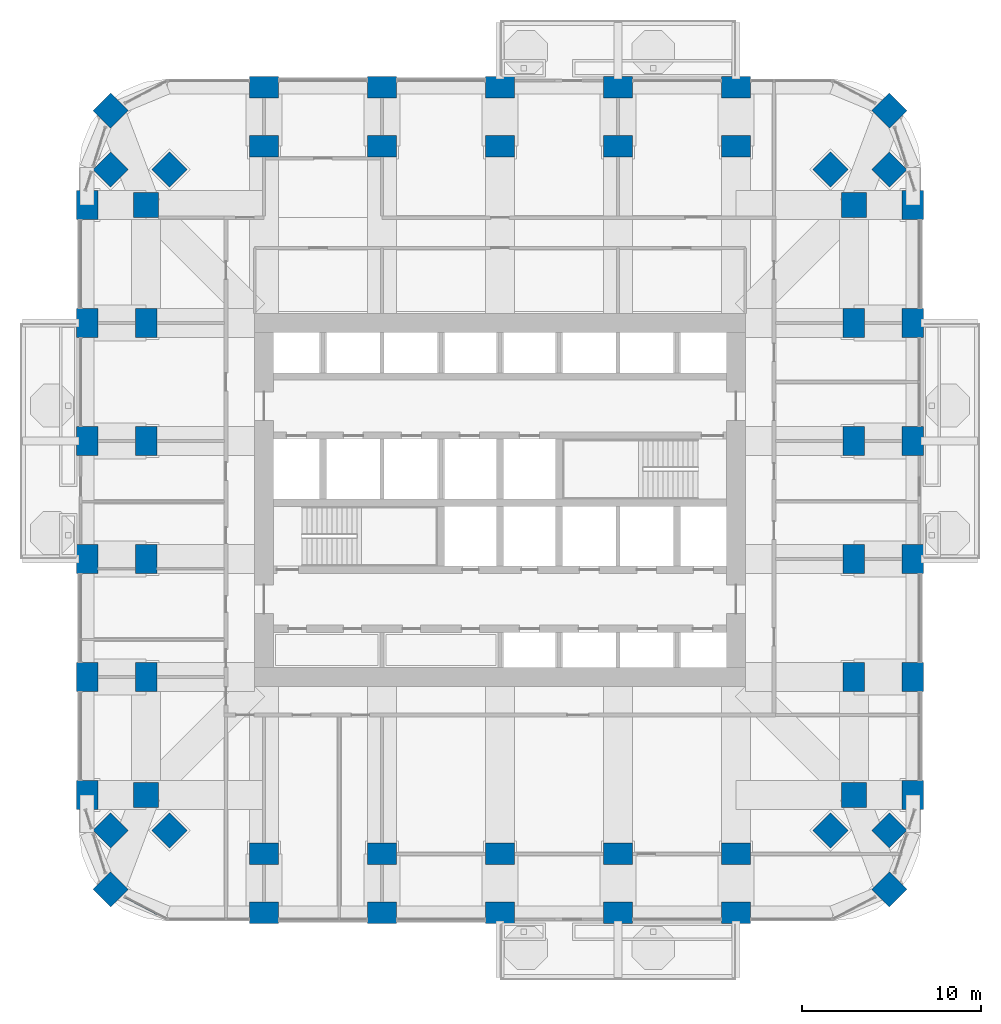
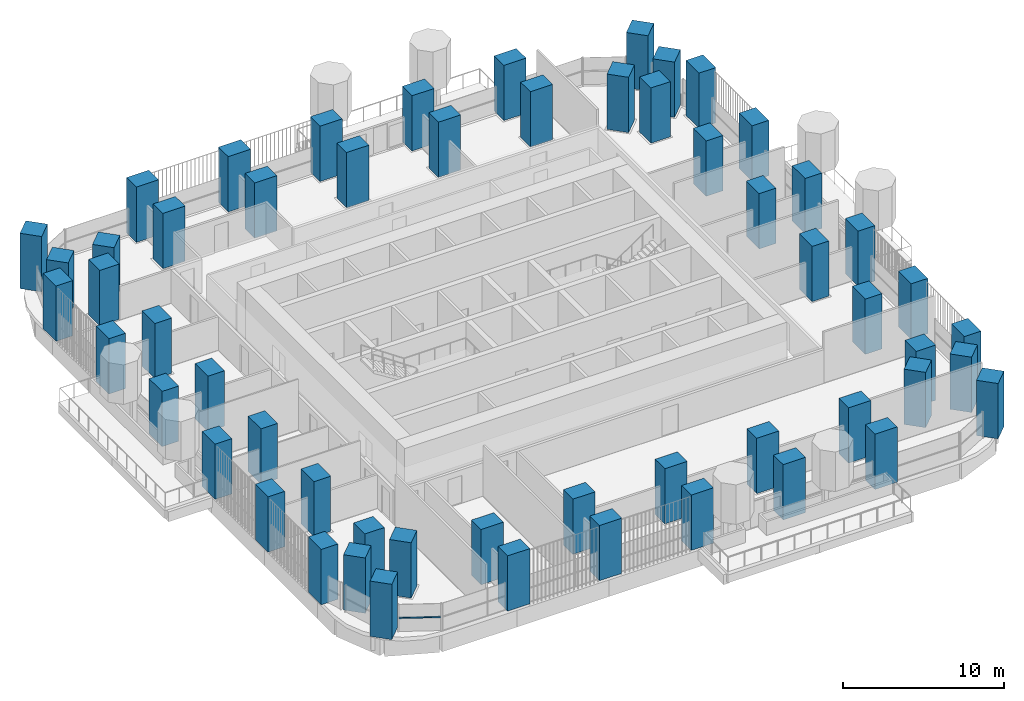
# One storey, part 1 of 22: 56 columns, 1 member, 1 element without a shape of its own.
"""IFC4 building model written with IfcOpenShell, lengths in metres."""

from ifc_helpers import new_model, si_unit, direction, frame, origin, origin_2d, place, context, subcontext, project, spatial, rectangle, extrude, material, material_profile, profile_set, type_object, element, aggregate, save


model = new_model("IFC4")

# Units and contexts
model_context = context("Model", 3, precision=1e-05, world=origin(), true_north=direction((0.0, 1.0)))
body_context = subcontext(model_context, "Body", "Model", "MODEL_VIEW")
ifc_project = project(units=[si_unit("LENGTHUNIT", "METRE"), si_unit("AREAUNIT", "SQUARE_METRE"), si_unit("VOLUMEUNIT", "CUBIC_METRE"), si_unit("PLANEANGLEUNIT", "RADIAN"), si_unit("MASSUNIT", "GRAM", prefix="KILO")], contexts=[model_context])

# Site, building, storey
site_placement = place(None, origin())
site = spatial("IfcSite", under=ifc_project, at=site_placement, CompositionType="ELEMENT")
building_placement = place(site_placement, origin())
building = spatial("IfcBuilding", under=site, at=building_placement, Name="Cobogo Forest Laboratory Tower", CompositionType="ELEMENT")
storey_placement = place(building_placement, frame((0.0, 0.0, 145.199951171875)))
storey = spatial("IfcBuildingStorey", under=building, at=storey_placement, Name="L33", CompositionType="ELEMENT", Elevation=145.199951171875)

# Columns
ifc_material_1 = material(Name="Concrete HA-50 (C50/60)", Category="concrete")
ifc_material_profile_1 = material_profile(ifc_material_1, rectangle(XDim=1.60009765625, YDim=1.199951171875, at=origin_2d()), Name="RC 1200x1600")
ifc_profile_set_1 = profile_set([ifc_material_profile_1], Name="Concrete HA-50 (C50/60)")
column_type_1 = type_object("IfcColumnType", Name="Blade column 1200x1600", PredefinedType="COLUMN", material=ifc_profile_set_1)
for number, where, z_axis, x_axis, name in (
    (1, (13.199951171875, 0.0, 0.0), (0.0, 0.0, 1.0), (1.0, 0.0, 0.0), "Column 3-A L33"),
    (2, (19.800048828125, 0.0, 0.0), (0.0, 0.0, 1.0), (1.0, 0.0, 0.0), "Column 4-A L33"),
    (3, (26.39990234375, 0.0, 0.0), (0.0, 0.0, 1.0), (1.0, 0.0, 0.0), "Column 5-A L33"),
    (4, (33.0, 0.0, 0.0), (0.0, 0.0, 1.0), (1.0, 0.0, 0.0), "Column 6-A L33"),
    (5, (39.60009765625, 0.0, 0.0), (0.0, 0.0, 1.0), (1.0, 0.0, 0.0), "Column 7-A L33"),
    (6, (3.300048828125, 6.60009765625, 0.0), (0.0, 0.0, 1.0), (0.0, 1.0, 0.0), "Column 1.1-B L33"),
    (7, (49.5, 6.60009765625, 0.0), (0.0, 0.0, 1.0), (0.0, 1.0, 0.0), "Column 8.1-B L33"),
    (8, (3.300048828125, 13.199951171875, 0.0), (0.0, 0.0, 1.0), (0.0, 1.0, 0.0), "Column 1.1-C L33"),
    (9, (49.5, 13.199951171875, 0.0), (0.0, 0.0, 1.0), (0.0, 1.0, 0.0), "Column 8.1-C L33"),
    (10, (3.300048828125, 19.800048828125, 0.0), (0.0, 0.0, 1.0), (0.0, 1.0, 0.0), "Column 1.1-D L33"),
    (11, (49.5, 19.800048828125, 0.0), (0.0, 0.0, 1.0), (0.0, 1.0, 0.0), "Column 8.1-D L33"),
    (12, (3.300048828125, 26.39990234375, 0.0), (0.0, 0.0, 1.0), (0.0, 1.0, 0.0), "Column 1.1-E L33"),
    (13, (49.5, 26.39990234375, 0.0), (0.0, 0.0, 1.0), (0.0, 1.0, 0.0), "Column 8.1-E L33"),
    (14, (3.300048828125, 33.0, 0.0), (0.0, 0.0, 1.0), (0.0, 1.0, 0.0), "Column 1.1-F L33"),
    (15, (49.5, 33.0, 0.0), (0.0, 0.0, 1.0), (0.0, 1.0, 0.0), "Column 8.1-F L33"),
    (16, (3.300048828125, 39.60009765625, 0.0), (0.0, 0.0, 1.0), (0.0, 1.0, 0.0), "Column 1.1-G L33"),
    (17, (49.5, 39.60009765625, 0.0), (0.0, 0.0, 1.0), (0.0, 1.0, 0.0), "Column 8.1-G L33"),
    (18, (13.199951171875, 46.199951171875, 0.0), (0.0, 0.0, 1.0), (1.0, 0.0, 0.0), "Column 3-H L33"),
    (19, (19.800048828125, 46.199951171875, 0.0), (0.0, 0.0, 1.0), (1.0, 0.0, 0.0), "Column 4-H L33"),
    (20, (26.39990234375, 46.199951171875, 0.0), (0.0, 0.0, 1.0), (1.0, 0.0, 0.0), "Column 5-H L33"),
    (21, (33.0, 46.199951171875, 0.0), (0.0, 0.0, 1.0), (1.0, 0.0, 0.0), "Column 6-H L33"),
    (22, (39.60009765625, 46.199951171875, 0.0), (0.0, 0.0, 1.0), (1.0, 0.0, 0.0), "Column 7-H L33"),
    (23, (13.199951171875, 3.300048828125, 0.0), (0.0, 0.0, 1.0), (1.0, 0.0, 0.0), "Column 3-A.1-C L33"),
    (24, (19.800048828125, 3.300048828125, 0.0), (0.0, 0.0, 1.0), (1.0, 0.0, 0.0), "Column 4-A.1-C L33"),
    (25, (26.39990234375, 3.300048828125, 0.0), (0.0, 0.0, 1.0), (1.0, 0.0, 0.0), "Column 5-A.1-C L33"),
    (26, (33.0, 3.300048828125, 0.0), (0.0, 0.0, 1.0), (1.0, 0.0, 0.0), "Column 6-A.1-C L33"),
    (27, (39.60009765625, 3.300048828125, 0.0), (0.0, 0.0, 1.0), (1.0, 0.0, 0.0), "Column 7-A.1-C L33"),
    (28, (13.199951171875, 42.89990234375, 0.0), (0.0, 0.0, 1.0), (1.0, 0.0, 0.0), "Column 3-G.1-C L33"),
    (29, (19.800048828125, 42.89990234375, 0.0), (0.0, 0.0, 1.0), (1.0, 0.0, 0.0), "Column 4-G.1-C L33"),
    (30, (26.39990234375, 42.89990234375, 0.0), (0.0, 0.0, 1.0), (1.0, 0.0, 0.0), "Column 5-G.1-C L33"),
    (31, (33.0, 42.89990234375, 0.0), (0.0, 0.0, 1.0), (1.0, 0.0, 0.0), "Column 6-G.1-C L33"),
    (32, (39.60009765625, 42.89990234375, 0.0), (0.0, 0.0, 1.0), (1.0, 0.0, 0.0), "Column 7-G.1-C L33"),
    (33, (6.60009765625, 13.199951171875, 0.0), (0.0, 0.0, 1.0), (0.0, 1.0, 0.0), "Column 2-C-D L33"),
    (34, (46.199951171875, 13.199951171875, 0.0), (0.0, 0.0, 1.0), (0.0, 1.0, 0.0), "Column 8-C-D L33"),
    (35, (6.60009765625, 19.800048828125, 0.0), (0.0, 0.0, 1.0), (0.0, 1.0, 0.0), "Column 2-D-D L33"),
    (36, (46.199951171875, 19.800048828125, 0.0), (0.0, 0.0, 1.0), (0.0, 1.0, 0.0), "Column 8-D-D L33"),
    (37, (6.60009765625, 26.39990234375, 0.0), (0.0, 0.0, 1.0), (0.0, 1.0, 0.0), "Column 2-E-D L33"),
    (38, (46.199951171875, 26.39990234375, 0.0), (0.0, 0.0, 1.0), (0.0, 1.0, 0.0), "Column 8-E-D L33"),
    (39, (6.60009765625, 33.0, 0.0), (0.0, 0.0, 1.0), (0.0, 1.0, 0.0), "Column 2-F-D L33"),
    (40, (46.199951171875, 33.0, 0.0), (0.0, 0.0, 1.0), (0.0, 1.0, 0.0), "Column 8-F-D L33"),
):
    element("IfcColumn", number, at=place(storey_placement, frame(where, z_axis=z_axis, x_axis=x_axis)), inside=storey, type_object=column_type_1, Name=name, PredefinedType="COLUMN", context=body_context, shape_type="SweptSolid", body=[
        extrude(rectangle(XDim=1.60009765625, YDim=1.199951171875, at=origin_2d()), origin(), (0.0, 0.0, 1.0), 4.199951171875),
    ])
ifc_material_profile_2 = material_profile(ifc_material_1, rectangle(XDim=1.39990234375, YDim=1.39990234375, at=origin_2d()), Name="RC 1400x1400")
ifc_profile_set_2 = profile_set([ifc_material_profile_2], Name="Concrete HA-50 (C50/60)")
column_type_2 = type_object("IfcColumnType", Name="Column 1400x1400", PredefinedType="COLUMN", material=ifc_profile_set_2)
for number, where, z_axis, x_axis, name in (
    (41, (4.617919921875, 1.318115234375, 0.0), (0.0, 0.0, 1.0), (0.707106781187, 0.707106781187, 0.0), "Column CNR-SW L33"),
    (42, (48.181884765625, 1.318115234375, 0.0), (0.0, 0.0, 1.0), (0.707106781187, 0.707106781187, 0.0), "Column CNR-SE L33"),
    (43, (4.617919921875, 44.882080078125, 0.0), (0.0, 0.0, 1.0), (0.707106781187, 0.707106781187, 0.0), "Column CNR-NW L33"),
    (44, (48.181884765625, 44.882080078125, 0.0), (0.0, 0.0, 1.0), (0.707106781187, 0.707106781187, 0.0), "Column CNR-NE L33"),
    (45, (6.60009765625, 6.60009765625, 0.0), (0.0, 0.0, 1.0), (1.0, 0.0, 0.0), "Column 2-B L33"),
    (46, (46.199951171875, 6.60009765625, 0.0), (0.0, 0.0, 1.0), (1.0, 0.0, 0.0), "Column 8-B L33"),
    (47, (6.60009765625, 39.60009765625, 0.0), (0.0, 0.0, 1.0), (1.0, 0.0, 0.0), "Column 2-G L33"),
    (48, (46.199951171875, 39.60009765625, 0.0), (0.0, 0.0, 1.0), (1.0, 0.0, 0.0), "Column 8-G L33"),
    (49, (4.617919921875, 4.617919921875, 0.0), (0.0, 0.0, 1.0), (0.707106781187, 0.707106781187, 0.0), "Column CNR-SW-C L33"),
    (50, (48.181884765625, 4.617919921875, 0.0), (0.0, 0.0, 1.0), (0.707106781187, 0.707106781187, 0.0), "Column CNR-SE-C L33"),
    (51, (4.617919921875, 41.58203125, 0.0), (0.0, 0.0, 1.0), (0.707106781187, 0.707106781187, 0.0), "Column CNR-NW-C L33"),
    (52, (48.181884765625, 41.58203125, 0.0), (0.0, 0.0, 1.0), (0.707106781187, 0.707106781187, 0.0), "Column CNR-NE-C L33"),
    (53, (7.91796875, 4.617919921875, 0.0), (0.0, 0.0, 1.0), (0.707106781187, 0.707106781187, 0.0), "Column CNR-SW-D L33"),
    (54, (44.882080078125, 4.617919921875, 0.0), (0.0, 0.0, 1.0), (0.707106781187, 0.707106781187, 0.0), "Column CNR-SE-D L33"),
    (55, (7.91796875, 41.58203125, 0.0), (0.0, 0.0, 1.0), (0.707106781187, 0.707106781187, 0.0), "Column CNR-NW-D L33"),
    (56, (44.882080078125, 41.58203125, 0.0), (0.0, 0.0, 1.0), (0.707106781187, 0.707106781187, 0.0), "Column CNR-NE-D L33"),
):
    element("IfcColumn", number, at=place(storey_placement, frame(where, z_axis=z_axis, x_axis=x_axis)), inside=storey, type_object=column_type_2, Name=name, PredefinedType="COLUMN", context=body_context, shape_type="SweptSolid", body=[
        extrude(rectangle(XDim=1.39990234375, YDim=1.39990234375, at=origin_2d()), origin(), (0.0, 0.0, 1.0), 4.199951171875),
    ])

# Curtain wall, member
ifc_material_2 = material(Name="Aluminium curtain wall", Category="aluminium")
curtain_wall_type = type_object("IfcCurtainWallType", Name="CW-1 unitised curtain wall, clear glazing, laboratory floors zones A and B", PredefinedType="USERDEFINED", material=ifc_material_2)
curtain_wall_placement = place(storey_placement, origin())
curtain_wall = element("IfcCurtainWall", 57, at=curtain_wall_placement, inside=storey, type_object=curtain_wall_type, Name="Curtain wall 34 L33", ObjectType="UNITISED CURTAIN WALL", PredefinedType="USERDEFINED")
ifc_material_3 = material(Name="Aluminium transom", Category="aluminium")
ifc_material_profile_3 = material_profile(ifc_material_3, rectangle(XDim=0.1201171875, YDim=0.06005859375, at=origin_2d()), Name="AL 60x120")
ifc_profile_set_3 = profile_set([ifc_material_profile_3], Name="Aluminium transom")
member_type = type_object("IfcMemberType", Name="TR-1 aluminium transom 60x120", PredefinedType="USERDEFINED", material=ifc_profile_set_3)
member_placement = place(storey_placement, frame((5.441162109375, 0.886474609375, 1.050048828125), z_axis=(0.885710351562, -0.464238271943, 0.0), x_axis=(0.464238271943, 0.885710351562, 0.0)))
member = element("IfcMember", 58, at=member_placement, type_object=member_type, Name="CW-1 transom 1.1", ObjectType="TRANSOM", PredefinedType="USERDEFINED", context=body_context, shape_type="SweptSolid", body=[
    extrude(rectangle(XDim=0.1201171875, YDim=0.06005859375, at=origin_2d()), origin(), (0.0, 0.0, 1.0), 2.603271484375),
])
aggregate(curtain_wall, [member])

save(model, "model.ifc")
